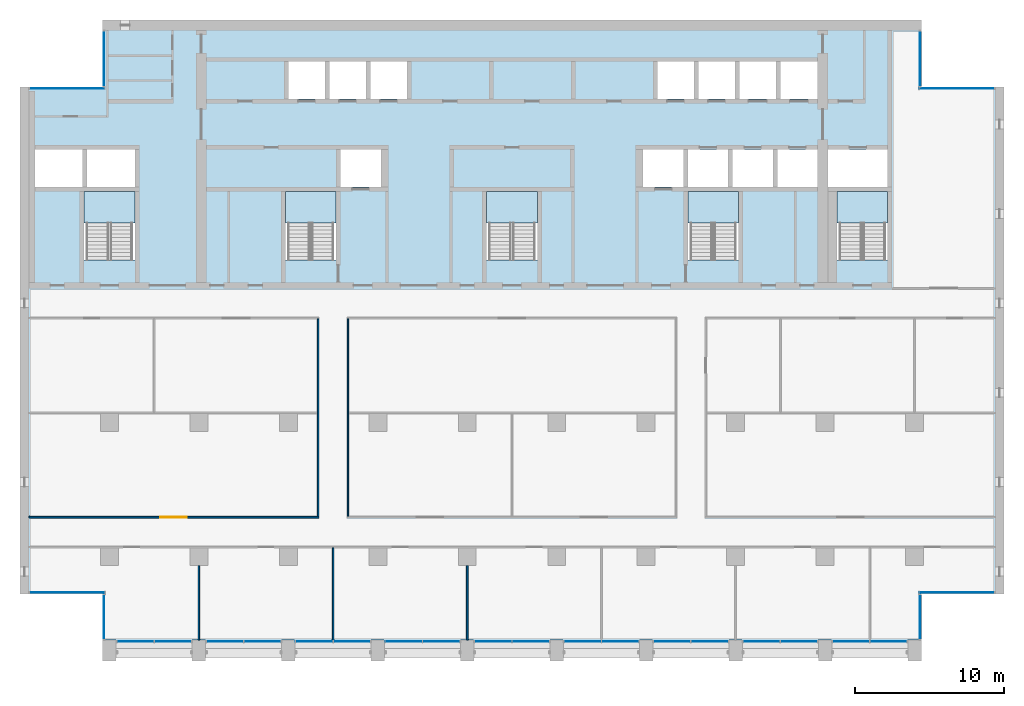
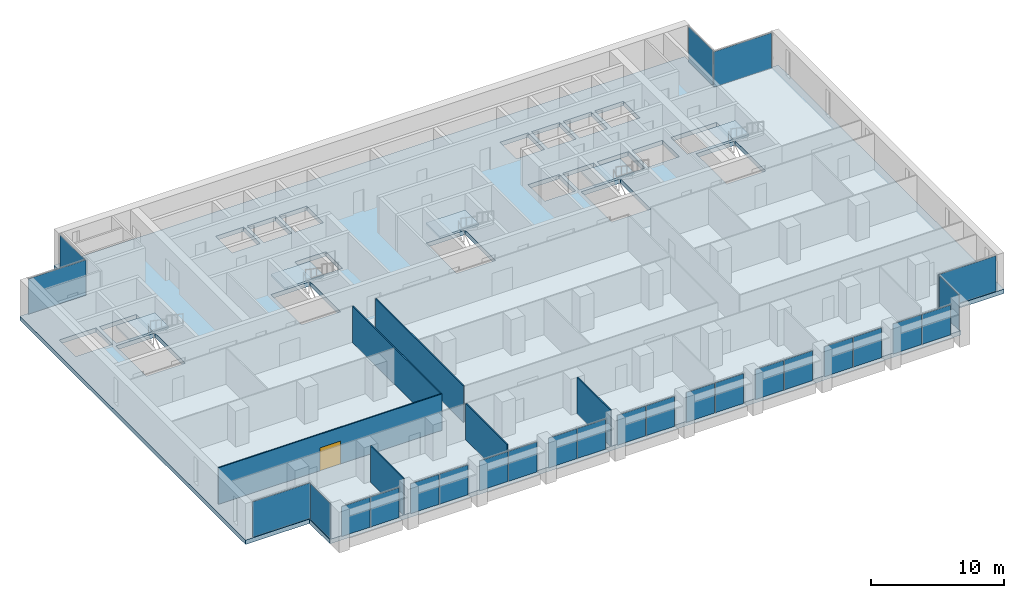
# One storey, part 7 of 17: 26 plates, 6 slabs, 6 walls, 1 door, 1 opening, 22 elements without a shape of their own.
"""IFC4 building model written with IfcOpenShell, lengths in metres."""

from ifc_helpers import new_model, si_unit, direction, frame, frame_2d, origin, origin_2d, place, context, subcontext, project, spatial, polyline, rectangle, outline, extrude, material, layer, layer_set, type_object, element, fill, aggregate, save


model = new_model("IFC4")

# Units and contexts
model_context = context("Model", 3, precision=1e-05, world=origin(), true_north=direction((0.0, 1.0)))
body_context = subcontext(model_context, "Body", "Model", "MODEL_VIEW")
ifc_project = project(units=[si_unit("LENGTHUNIT", "METRE"), si_unit("AREAUNIT", "SQUARE_METRE"), si_unit("VOLUMEUNIT", "CUBIC_METRE"), si_unit("PLANEANGLEUNIT", "RADIAN"), si_unit("MASSUNIT", "GRAM", prefix="KILO")], contexts=[model_context])

# Site, building, storey
site_placement = place(None, origin())
site = spatial("IfcSite", under=ifc_project, at=site_placement, CompositionType="ELEMENT")
building_placement = place(site_placement, origin())
building = spatial("IfcBuilding", under=site, at=building_placement, Name="Calvaro Tower", CompositionType="ELEMENT")
storey_placement = place(building_placement, frame((0.0, 0.0, 174.25)))
storey = spatial("IfcBuildingStorey", under=building, at=storey_placement, Name="L43", CompositionType="ELEMENT", Elevation=174.25)

# Slab
ifc_material_1 = material(Name="Concrete C40/50", Category="concrete")
ifc_layer_1 = layer(ifc_material_1, 0.39990234375)
ifc_layer_set_1 = layer_set([ifc_layer_1], Name="Concrete C40/50")
slab_type_1 = type_object("IfcSlabType", Name="Floor slab 400 C40/50", PredefinedType="FLOOR", material=ifc_layer_set_1)
slab_1_placement = place(storey_placement, frame((0.0, 0.0, -0.39990234375)))
element("IfcSlab", 1, at=slab_1_placement, inside=storey, type_object=slab_type_1, Name="Floor slab", PredefinedType="FLOOR", context=body_context, shape_type="SweptSolid", body=[
    extrude(outline(polyline([(66.449951171875, 7.5), (66.449951171875, 4.39990234375), (11.550048828125, 4.39990234375), (11.550048828125, 7.5), (6.0, 7.5), (6.0, 41.5), (11.550048828125, 41.5), (11.550048828125, 46.0), (66.449951171875, 46.0), (66.449951171875, 41.5), (72.0, 41.5), (72.0, 7.5), (66.449951171875, 7.5)]), holes=[polyline([(10.300048828125, 29.909912109375), (10.300048828125, 34.5), (12.0, 34.5), (13.699951171875, 34.5), (13.699951171875, 29.909912109375), (12.0, 29.909912109375), (10.300048828125, 29.909912109375)]), polyline([(23.800048828125, 29.909912109375), (23.800048828125, 34.5), (25.5, 34.5), (27.199951171875, 34.5), (27.199951171875, 29.909912109375), (25.5, 29.909912109375), (23.800048828125, 29.909912109375)]), polyline([(37.300048828125, 29.909912109375), (37.300048828125, 34.5), (39.0, 34.5), (40.699951171875, 34.5), (40.699951171875, 29.909912109375), (39.0, 29.909912109375), (37.300048828125, 29.909912109375)]), polyline([(50.800048828125, 29.909912109375), (50.800048828125, 34.5), (52.5, 34.5), (54.199951171875, 34.5), (54.199951171875, 29.909912109375), (52.5, 29.909912109375), (50.800048828125, 29.909912109375)]), polyline([(60.800048828125, 29.909912109375), (60.800048828125, 34.5), (62.5, 34.5), (64.199951171875, 34.5), (64.199951171875, 29.909912109375), (62.5, 29.909912109375), (60.800048828125, 29.909912109375)]), polyline([(50.800048828125, 34.800048828125), (53.5, 34.800048828125), (53.5, 37.300048828125), (50.800048828125, 37.300048828125), (50.800048828125, 34.800048828125)]), polyline([(53.800048828125, 34.800048828125), (56.5, 34.800048828125), (56.5, 37.300048828125), (53.800048828125, 37.300048828125), (53.800048828125, 34.800048828125)]), polyline([(56.800048828125, 34.800048828125), (59.5, 34.800048828125), (59.5, 37.300048828125), (56.800048828125, 37.300048828125), (56.800048828125, 34.800048828125)]), polyline([(24.0, 40.699951171875), (26.449951171875, 40.699951171875), (26.449951171875, 43.199951171875), (24.0, 43.199951171875), (24.0, 40.699951171875)]), polyline([(26.75, 40.699951171875), (29.199951171875, 40.699951171875), (29.199951171875, 43.199951171875), (26.75, 43.199951171875), (26.75, 40.699951171875)]), polyline([(29.5, 40.699951171875), (31.949951171875, 40.699951171875), (31.949951171875, 43.199951171875), (29.5, 43.199951171875), (29.5, 40.699951171875)]), polyline([(48.75, 40.699951171875), (51.199951171875, 40.699951171875), (51.199951171875, 43.199951171875), (48.75, 43.199951171875), (48.75, 40.699951171875)]), polyline([(51.5, 40.699951171875), (53.949951171875, 40.699951171875), (53.949951171875, 43.199951171875), (51.5, 43.199951171875), (51.5, 40.699951171875)]), polyline([(54.25, 40.699951171875), (56.699951171875, 40.699951171875), (56.699951171875, 43.199951171875), (54.25, 43.199951171875), (54.25, 40.699951171875)]), polyline([(57.0, 40.699951171875), (59.5, 40.699951171875), (59.5, 43.199951171875), (57.0, 43.199951171875), (57.0, 40.699951171875)]), polyline([(7.0, 34.800048828125), (10.199951171875, 34.800048828125), (10.199951171875, 37.300048828125), (7.0, 37.300048828125), (7.0, 34.800048828125)]), polyline([(10.5, 34.800048828125), (13.699951171875, 34.800048828125), (13.699951171875, 37.300048828125), (10.5, 37.300048828125), (10.5, 34.800048828125)]), polyline([(60.199951171875, 34.800048828125), (64.199951171875, 34.800048828125), (64.199951171875, 37.300048828125), (60.199951171875, 37.300048828125), (60.199951171875, 34.800048828125)]), polyline([(27.5, 34.800048828125), (30.199951171875, 34.800048828125), (30.199951171875, 37.300048828125), (27.5, 37.300048828125), (27.5, 34.800048828125)]), polyline([(47.800048828125, 34.800048828125), (50.5, 34.800048828125), (50.5, 37.300048828125), (47.800048828125, 37.300048828125), (47.800048828125, 34.800048828125)])]), origin(), (0.0, 0.0, 1.0), 0.39990234375),
])

# Curtain wall, plates
ifc_material_2 = material(Name="Anodised aluminium", Category="aluminium")
curtain_wall_type = type_object("IfcCurtainWallType", Name="Office curtain wall, upper zone", PredefinedType="NOTDEFINED", material=ifc_material_2)
curtain_wall_1_placement = place(storey_placement, origin())
curtain_wall_1 = element("IfcCurtainWall", 2, at=curtain_wall_1_placement, inside=storey, type_object=curtain_wall_type, Name="CW3 south curtain wall", PredefinedType="NOTDEFINED")
ifc_material_3 = material(Name="Glass", Category="glass")
ifc_layer_2 = layer(ifc_material_3, 0.035888671875)
ifc_layer_set_2 = layer_set([ifc_layer_2], Name="Glass")
plate_type = type_object("IfcPlateType", Name="Glass panel S3 36", PredefinedType="CURTAIN_PANEL", material=ifc_layer_set_2)
plate_1_placement = place(storey_placement, frame((13.739990234375, 4.31005859375, 0.0), z_axis=(0.0, 0.0, 1.0), x_axis=(1.0, 0.0, 0.0)))
plate_1 = element("IfcPlate", 3, at=plate_1_placement, type_object=plate_type, Name="CW3 glass panel 1.1", PredefinedType="CURTAIN_PANEL", context=body_context, shape_type="SweptSolid", body=[
    extrude(rectangle(XDim=2.4599609375, YDim=0.035888671875, at=origin_2d()), origin(), (0.0, 0.0, 1.0), 2.75),
])
plate_2_placement = place(storey_placement, frame((16.260009765625, 4.31005859375, 0.0), z_axis=(0.0, 0.0, 1.0), x_axis=(1.0, 0.0, 0.0)))
plate_2 = element("IfcPlate", 4, at=plate_2_placement, type_object=plate_type, Name="CW3 glass panel 2.1", PredefinedType="CURTAIN_PANEL", context=body_context, shape_type="SweptSolid", body=[
    extrude(rectangle(XDim=2.4599609375, YDim=0.035888671875, at=origin_2d()), origin(), (0.0, 0.0, 1.0), 2.75),
])
aggregate(curtain_wall_1, [plate_1, plate_2])

curtain_wall_2_placement = place(storey_placement, origin())
curtain_wall_2 = element("IfcCurtainWall", 5, at=curtain_wall_2_placement, inside=storey, type_object=curtain_wall_type, Name="CW3 south curtain wall", PredefinedType="NOTDEFINED")
plate_3_placement = place(storey_placement, frame((19.739990234375, 4.31005859375, 0.0), z_axis=(0.0, 0.0, 1.0), x_axis=(1.0, 0.0, 0.0)))
plate_3 = element("IfcPlate", 6, at=plate_3_placement, type_object=plate_type, Name="CW3 glass panel 1.1", PredefinedType="CURTAIN_PANEL", context=body_context, shape_type="SweptSolid", body=[
    extrude(rectangle(XDim=2.4599609375, YDim=0.035888671875, at=origin_2d()), origin(), (0.0, 0.0, 1.0), 2.75),
])
plate_4_placement = place(storey_placement, frame((22.260009765625, 4.31005859375, 0.0), z_axis=(0.0, 0.0, 1.0), x_axis=(1.0, 0.0, 0.0)))
plate_4 = element("IfcPlate", 7, at=plate_4_placement, type_object=plate_type, Name="CW3 glass panel 2.1", PredefinedType="CURTAIN_PANEL", context=body_context, shape_type="SweptSolid", body=[
    extrude(rectangle(XDim=2.4599609375, YDim=0.035888671875, at=origin_2d()), origin(), (0.0, 0.0, 1.0), 2.75),
])
aggregate(curtain_wall_2, [plate_3, plate_4])

curtain_wall_3_placement = place(storey_placement, origin())
curtain_wall_3 = element("IfcCurtainWall", 8, at=curtain_wall_3_placement, inside=storey, type_object=curtain_wall_type, Name="CW3 south curtain wall", PredefinedType="NOTDEFINED")
plate_5_placement = place(storey_placement, frame((25.739990234375, 4.31005859375, 0.0), z_axis=(0.0, 0.0, 1.0), x_axis=(1.0, 0.0, 0.0)))
plate_5 = element("IfcPlate", 9, at=plate_5_placement, type_object=plate_type, Name="CW3 glass panel 1.1", PredefinedType="CURTAIN_PANEL", context=body_context, shape_type="SweptSolid", body=[
    extrude(rectangle(XDim=2.4599609375, YDim=0.035888671875, at=origin_2d()), origin(), (0.0, 0.0, 1.0), 2.75),
])
plate_6_placement = place(storey_placement, frame((28.260009765625, 4.31005859375, 0.0), z_axis=(0.0, 0.0, 1.0), x_axis=(1.0, 0.0, 0.0)))
plate_6 = element("IfcPlate", 10, at=plate_6_placement, type_object=plate_type, Name="CW3 glass panel 2.1", PredefinedType="CURTAIN_PANEL", context=body_context, shape_type="SweptSolid", body=[
    extrude(rectangle(XDim=2.4599609375, YDim=0.035888671875, at=origin_2d()), origin(), (0.0, 0.0, 1.0), 2.75),
])
aggregate(curtain_wall_3, [plate_5, plate_6])

curtain_wall_4_placement = place(storey_placement, origin())
curtain_wall_4 = element("IfcCurtainWall", 11, at=curtain_wall_4_placement, inside=storey, type_object=curtain_wall_type, Name="CW3 south curtain wall", PredefinedType="NOTDEFINED")
plate_7_placement = place(storey_placement, frame((31.739990234375, 4.31005859375, 0.0), z_axis=(0.0, 0.0, 1.0), x_axis=(1.0, 0.0, 0.0)))
plate_7 = element("IfcPlate", 12, at=plate_7_placement, type_object=plate_type, Name="CW3 glass panel 1.1", PredefinedType="CURTAIN_PANEL", context=body_context, shape_type="SweptSolid", body=[
    extrude(rectangle(XDim=2.4599609375, YDim=0.035888671875, at=origin_2d()), origin(), (0.0, 0.0, 1.0), 2.75),
])
plate_8_placement = place(storey_placement, frame((34.260009765625, 4.31005859375, 0.0), z_axis=(0.0, 0.0, 1.0), x_axis=(1.0, 0.0, 0.0)))
plate_8 = element("IfcPlate", 13, at=plate_8_placement, type_object=plate_type, Name="CW3 glass panel 2.1", PredefinedType="CURTAIN_PANEL", context=body_context, shape_type="SweptSolid", body=[
    extrude(rectangle(XDim=2.4599609375, YDim=0.035888671875, at=origin_2d()), origin(), (0.0, 0.0, 1.0), 2.75),
])
aggregate(curtain_wall_4, [plate_7, plate_8])

curtain_wall_5_placement = place(storey_placement, origin())
curtain_wall_5 = element("IfcCurtainWall", 14, at=curtain_wall_5_placement, inside=storey, type_object=curtain_wall_type, Name="CW3 south curtain wall", PredefinedType="NOTDEFINED")
plate_9_placement = place(storey_placement, frame((37.739990234375, 4.31005859375, 0.0), z_axis=(0.0, 0.0, 1.0), x_axis=(1.0, 0.0, 0.0)))
plate_9 = element("IfcPlate", 15, at=plate_9_placement, type_object=plate_type, Name="CW3 glass panel 1.1", PredefinedType="CURTAIN_PANEL", context=body_context, shape_type="SweptSolid", body=[
    extrude(rectangle(XDim=2.4599609375, YDim=0.035888671875, at=origin_2d()), origin(), (0.0, 0.0, 1.0), 2.75),
])
plate_10_placement = place(storey_placement, frame((40.260009765625, 4.31005859375, 0.0), z_axis=(0.0, 0.0, 1.0), x_axis=(1.0, 0.0, 0.0)))
plate_10 = element("IfcPlate", 16, at=plate_10_placement, type_object=plate_type, Name="CW3 glass panel 2.1", PredefinedType="CURTAIN_PANEL", context=body_context, shape_type="SweptSolid", body=[
    extrude(rectangle(XDim=2.4599609375, YDim=0.035888671875, at=origin_2d()), origin(), (0.0, 0.0, 1.0), 2.75),
])
aggregate(curtain_wall_5, [plate_9, plate_10])

curtain_wall_6_placement = place(storey_placement, origin())
curtain_wall_6 = element("IfcCurtainWall", 17, at=curtain_wall_6_placement, inside=storey, type_object=curtain_wall_type, Name="CW3 south curtain wall", PredefinedType="NOTDEFINED")
plate_11_placement = place(storey_placement, frame((43.739990234375, 4.31005859375, 0.0), z_axis=(0.0, 0.0, 1.0), x_axis=(1.0, 0.0, 0.0)))
plate_11 = element("IfcPlate", 18, at=plate_11_placement, type_object=plate_type, Name="CW3 glass panel 1.1", PredefinedType="CURTAIN_PANEL", context=body_context, shape_type="SweptSolid", body=[
    extrude(rectangle(XDim=2.4599609375, YDim=0.035888671875, at=origin_2d()), origin(), (0.0, 0.0, 1.0), 2.75),
])
plate_12_placement = place(storey_placement, frame((46.260009765625, 4.31005859375, 0.0), z_axis=(0.0, 0.0, 1.0), x_axis=(1.0, 0.0, 0.0)))
plate_12 = element("IfcPlate", 19, at=plate_12_placement, type_object=plate_type, Name="CW3 glass panel 2.1", PredefinedType="CURTAIN_PANEL", context=body_context, shape_type="SweptSolid", body=[
    extrude(rectangle(XDim=2.4599609375, YDim=0.035888671875, at=origin_2d()), origin(), (0.0, 0.0, 1.0), 2.75),
])
aggregate(curtain_wall_6, [plate_11, plate_12])

curtain_wall_7_placement = place(storey_placement, origin())
curtain_wall_7 = element("IfcCurtainWall", 20, at=curtain_wall_7_placement, inside=storey, type_object=curtain_wall_type, Name="CW3 south curtain wall", PredefinedType="NOTDEFINED")
plate_13_placement = place(storey_placement, frame((49.739990234375, 4.31005859375, 0.0), z_axis=(0.0, 0.0, 1.0), x_axis=(1.0, 0.0, 0.0)))
plate_13 = element("IfcPlate", 21, at=plate_13_placement, type_object=plate_type, Name="CW3 glass panel 1.1", PredefinedType="CURTAIN_PANEL", context=body_context, shape_type="SweptSolid", body=[
    extrude(rectangle(XDim=2.4599609375, YDim=0.035888671875, at=origin_2d()), origin(), (0.0, 0.0, 1.0), 2.75),
])
plate_14_placement = place(storey_placement, frame((52.260009765625, 4.31005859375, 0.0), z_axis=(0.0, 0.0, 1.0), x_axis=(1.0, 0.0, 0.0)))
plate_14 = element("IfcPlate", 22, at=plate_14_placement, type_object=plate_type, Name="CW3 glass panel 2.1", PredefinedType="CURTAIN_PANEL", context=body_context, shape_type="SweptSolid", body=[
    extrude(rectangle(XDim=2.4599609375, YDim=0.035888671875, at=origin_2d()), origin(), (0.0, 0.0, 1.0), 2.75),
])
aggregate(curtain_wall_7, [plate_13, plate_14])

curtain_wall_8_placement = place(storey_placement, origin())
curtain_wall_8 = element("IfcCurtainWall", 23, at=curtain_wall_8_placement, inside=storey, type_object=curtain_wall_type, Name="CW3 south curtain wall", PredefinedType="NOTDEFINED")
plate_15_placement = place(storey_placement, frame((55.739990234375, 4.31005859375, 0.0), z_axis=(0.0, 0.0, 1.0), x_axis=(1.0, 0.0, 0.0)))
plate_15 = element("IfcPlate", 24, at=plate_15_placement, type_object=plate_type, Name="CW3 glass panel 1.1", PredefinedType="CURTAIN_PANEL", context=body_context, shape_type="SweptSolid", body=[
    extrude(rectangle(XDim=2.4599609375, YDim=0.035888671875, at=origin_2d()), origin(), (0.0, 0.0, 1.0), 2.75),
])
plate_16_placement = place(storey_placement, frame((58.260009765625, 4.31005859375, 0.0), z_axis=(0.0, 0.0, 1.0), x_axis=(1.0, 0.0, 0.0)))
plate_16 = element("IfcPlate", 25, at=plate_16_placement, type_object=plate_type, Name="CW3 glass panel 2.1", PredefinedType="CURTAIN_PANEL", context=body_context, shape_type="SweptSolid", body=[
    extrude(rectangle(XDim=2.4599609375, YDim=0.035888671875, at=origin_2d()), origin(), (0.0, 0.0, 1.0), 2.75),
])
aggregate(curtain_wall_8, [plate_15, plate_16])

curtain_wall_9_placement = place(storey_placement, origin())
curtain_wall_9 = element("IfcCurtainWall", 26, at=curtain_wall_9_placement, inside=storey, type_object=curtain_wall_type, Name="CW3 south curtain wall", PredefinedType="NOTDEFINED")
plate_17_placement = place(storey_placement, frame((61.739990234375, 4.31005859375, 0.0), z_axis=(0.0, 0.0, 1.0), x_axis=(1.0, 0.0, 0.0)))
plate_17 = element("IfcPlate", 27, at=plate_17_placement, type_object=plate_type, Name="CW3 glass panel 1.1", PredefinedType="CURTAIN_PANEL", context=body_context, shape_type="SweptSolid", body=[
    extrude(rectangle(XDim=2.4599609375, YDim=0.035888671875, at=origin_2d()), origin(), (0.0, 0.0, 1.0), 2.75),
])
plate_18_placement = place(storey_placement, frame((64.260009765625, 4.31005859375, 0.0), z_axis=(0.0, 0.0, 1.0), x_axis=(1.0, 0.0, 0.0)))
plate_18 = element("IfcPlate", 28, at=plate_18_placement, type_object=plate_type, Name="CW3 glass panel 2.1", PredefinedType="CURTAIN_PANEL", context=body_context, shape_type="SweptSolid", body=[
    extrude(rectangle(XDim=2.4599609375, YDim=0.035888671875, at=origin_2d()), origin(), (0.0, 0.0, 1.0), 2.75),
])
aggregate(curtain_wall_9, [plate_17, plate_18])

# Curtain wall, plate
curtain_wall_10_placement = place(storey_placement, origin())
curtain_wall_10 = element("IfcCurtainWall", 29, at=curtain_wall_10_placement, inside=storey, type_object=curtain_wall_type, Name="CW3 corner curtain wall", PredefinedType="NOTDEFINED")
plate_19_placement = place(storey_placement, frame((11.639892578125, 5.949951171875, 0.0), z_axis=(0.0, 0.0, 1.0), x_axis=(0.0, 1.0, 0.0)))
plate_19 = element("IfcPlate", 30, at=plate_19_placement, type_object=plate_type, Name="CW3 glass panel 1.1", PredefinedType="CURTAIN_PANEL", context=body_context, shape_type="SweptSolid", body=[
    extrude(rectangle(XDim=2.97998046875, YDim=0.035888671875, at=origin_2d()), origin(), (0.0, 0.0, 1.0), 3.25),
])
aggregate(curtain_wall_10, [plate_19])

curtain_wall_11_placement = place(storey_placement, origin())
curtain_wall_11 = element("IfcCurtainWall", 31, at=curtain_wall_11_placement, inside=storey, type_object=curtain_wall_type, Name="CW3 corner curtain wall", PredefinedType="NOTDEFINED")
plate_20_placement = place(storey_placement, frame((9.1650390625, 7.590087890625, 0.0), z_axis=(0.0, 0.0, 1.0), x_axis=(1.0, 0.0, 0.0)))
plate_20 = element("IfcPlate", 32, at=plate_20_placement, type_object=plate_type, Name="CW3 glass panel 1.1", PredefinedType="CURTAIN_PANEL", context=body_context, shape_type="SweptSolid", body=[
    extrude(rectangle(XDim=5.010009765625, YDim=0.035888671875, at=origin_2d()), origin(), (0.0, 0.0, 1.0), 3.25),
])
aggregate(curtain_wall_11, [plate_20])

curtain_wall_12_placement = place(storey_placement, origin())
curtain_wall_12 = element("IfcCurtainWall", 33, at=curtain_wall_12_placement, inside=storey, type_object=curtain_wall_type, Name="CW3 corner curtain wall", PredefinedType="NOTDEFINED")
plate_21_placement = place(storey_placement, frame((11.639892578125, 43.39990234375, 0.0), z_axis=(0.0, 0.0, 1.0), x_axis=(0.0, 1.0, 0.0)))
plate_21 = element("IfcPlate", 34, at=plate_21_placement, type_object=plate_type, Name="CW3 glass panel 1.1", PredefinedType="CURTAIN_PANEL", context=body_context, shape_type="SweptSolid", body=[
    extrude(rectangle(XDim=3.679931640625, YDim=0.035888671875, at=origin_2d()), origin(), (0.0, 0.0, 1.0), 3.25),
])
aggregate(curtain_wall_12, [plate_21])

curtain_wall_13_placement = place(storey_placement, origin())
curtain_wall_13 = element("IfcCurtainWall", 35, at=curtain_wall_13_placement, inside=storey, type_object=curtain_wall_type, Name="CW3 corner curtain wall", PredefinedType="NOTDEFINED")
plate_22_placement = place(storey_placement, frame((9.1650390625, 41.409912109375, 0.0), z_axis=(0.0, 0.0, 1.0), x_axis=(1.0, 0.0, 0.0)))
plate_22 = element("IfcPlate", 36, at=plate_22_placement, type_object=plate_type, Name="CW3 glass panel 1.1", PredefinedType="CURTAIN_PANEL", context=body_context, shape_type="SweptSolid", body=[
    extrude(rectangle(XDim=5.010009765625, YDim=0.035888671875, at=origin_2d()), origin(), (0.0, 0.0, 1.0), 3.25),
])
aggregate(curtain_wall_13, [plate_22])

curtain_wall_14_placement = place(storey_placement, origin())
curtain_wall_14 = element("IfcCurtainWall", 37, at=curtain_wall_14_placement, inside=storey, type_object=curtain_wall_type, Name="CW3 corner curtain wall", PredefinedType="NOTDEFINED")
plate_23_placement = place(storey_placement, frame((66.360107421875, 5.949951171875, 0.0), z_axis=(0.0, 0.0, 1.0), x_axis=(0.0, 1.0, 0.0)))
plate_23 = element("IfcPlate", 38, at=plate_23_placement, type_object=plate_type, Name="CW3 glass panel 1.1", PredefinedType="CURTAIN_PANEL", context=body_context, shape_type="SweptSolid", body=[
    extrude(rectangle(XDim=2.97998046875, YDim=0.035888671875, at=origin_2d()), origin(), (0.0, 0.0, 1.0), 3.25),
])
aggregate(curtain_wall_14, [plate_23])

curtain_wall_15_placement = place(storey_placement, origin())
curtain_wall_15 = element("IfcCurtainWall", 39, at=curtain_wall_15_placement, inside=storey, type_object=curtain_wall_type, Name="CW3 corner curtain wall", PredefinedType="NOTDEFINED")
plate_24_placement = place(storey_placement, frame((68.8349609375, 7.590087890625, 0.0), z_axis=(0.0, 0.0, 1.0), x_axis=(1.0, 0.0, 0.0)))
plate_24 = element("IfcPlate", 40, at=plate_24_placement, type_object=plate_type, Name="CW3 glass panel 1.1", PredefinedType="CURTAIN_PANEL", context=body_context, shape_type="SweptSolid", body=[
    extrude(rectangle(XDim=5.010009765625, YDim=0.035888671875, at=origin_2d()), origin(), (0.0, 0.0, 1.0), 3.25),
])
aggregate(curtain_wall_15, [plate_24])

curtain_wall_16_placement = place(storey_placement, origin())
curtain_wall_16 = element("IfcCurtainWall", 41, at=curtain_wall_16_placement, inside=storey, type_object=curtain_wall_type, Name="CW3 corner curtain wall", PredefinedType="NOTDEFINED")
plate_25_placement = place(storey_placement, frame((66.360107421875, 43.39990234375, 0.0), z_axis=(0.0, 0.0, 1.0), x_axis=(0.0, 1.0, 0.0)))
plate_25 = element("IfcPlate", 42, at=plate_25_placement, type_object=plate_type, Name="CW3 glass panel 1.1", PredefinedType="CURTAIN_PANEL", context=body_context, shape_type="SweptSolid", body=[
    extrude(rectangle(XDim=3.679931640625, YDim=0.035888671875, at=origin_2d()), origin(), (0.0, 0.0, 1.0), 3.25),
])
aggregate(curtain_wall_16, [plate_25])

curtain_wall_17_placement = place(storey_placement, origin())
curtain_wall_17 = element("IfcCurtainWall", 43, at=curtain_wall_17_placement, inside=storey, type_object=curtain_wall_type, Name="CW3 corner curtain wall", PredefinedType="NOTDEFINED")
plate_26_placement = place(storey_placement, frame((68.8349609375, 41.409912109375, 0.0), z_axis=(0.0, 0.0, 1.0), x_axis=(1.0, 0.0, 0.0)))
plate_26 = element("IfcPlate", 44, at=plate_26_placement, type_object=plate_type, Name="CW3 glass panel 1.1", PredefinedType="CURTAIN_PANEL", context=body_context, shape_type="SweptSolid", body=[
    extrude(rectangle(XDim=5.010009765625, YDim=0.035888671875, at=origin_2d()), origin(), (0.0, 0.0, 1.0), 3.25),
])
aggregate(curtain_wall_17, [plate_26])

# Stair, slab
ifc_material_4 = material(Name="Concrete C40/50", Category="concrete")
stair_type = type_object("IfcStairType", Name="Exit stair 1400 2 flights", PredefinedType="HALF_TURN_STAIR", material=ifc_material_4)
stair_1_placement = place(storey_placement, origin())
stair_1 = element("IfcStair", 45, at=stair_1_placement, inside=storey, type_object=stair_type, Name="Exit stair S1", PredefinedType="HALF_TURN_STAIR")
ifc_material_5 = material(Name="Concrete C40/50", Category="concrete")
ifc_layer_3 = layer(ifc_material_5, 0.199951171875)
ifc_layer_set_3 = layer_set([ifc_layer_3], Name="Concrete C40/50")
slab_type_2 = type_object("IfcSlabType", Name="Stair landing", PredefinedType="LANDING", material=ifc_layer_set_3)
slab_2_placement = place(storey_placement, frame((0.0, 0.0, 1.675048828125)))
slab_2 = element("IfcSlab", 46, at=slab_2_placement, type_object=slab_type_2, Name="Exit stair 1, landing 1", PredefinedType="LANDING", context=body_context, shape_type="SweptSolid", body=[
    extrude(outline(polyline([(11.89990234375, 32.389892578125), (10.5, 32.389892578125), (10.5, 32.39990234375), (10.300048828125, 32.39990234375), (10.300048828125, 34.5), (10.5, 34.5), (11.89990234375, 34.5), (12.10009765625, 34.5), (13.5, 34.5), (13.699951171875, 34.5), (13.699951171875, 32.39990234375), (13.5, 32.39990234375), (13.5, 32.389892578125), (12.10009765625, 32.389892578125), (12.10009765625, 32.39990234375), (11.89990234375, 32.39990234375), (11.89990234375, 32.389892578125)])), origin(), (0.0, 0.0, 1.0), 0.199951171875),
])
aggregate(stair_1, [slab_2])

stair_2_placement = place(storey_placement, origin())
stair_2 = element("IfcStair", 47, at=stair_2_placement, inside=storey, type_object=stair_type, Name="Exit stair S2", PredefinedType="HALF_TURN_STAIR")
slab_3_placement = place(storey_placement, frame((0.0, 0.0, 1.675048828125)))
slab_3 = element("IfcSlab", 48, at=slab_3_placement, type_object=slab_type_2, Name="Exit stair 2, landing 1", PredefinedType="LANDING", context=body_context, shape_type="SweptSolid", body=[
    extrude(outline(polyline([(25.39990234375, 32.389892578125), (24.0, 32.389892578125), (24.0, 32.39990234375), (23.800048828125, 32.39990234375), (23.800048828125, 34.5), (24.0, 34.5), (25.39990234375, 34.5), (25.60009765625, 34.5), (27.0, 34.5), (27.199951171875, 34.5), (27.199951171875, 32.39990234375), (27.0, 32.39990234375), (27.0, 32.389892578125), (25.60009765625, 32.389892578125), (25.60009765625, 32.39990234375), (25.39990234375, 32.39990234375), (25.39990234375, 32.389892578125)])), origin(), (0.0, 0.0, 1.0), 0.199951171875),
])
aggregate(stair_2, [slab_3])

stair_3_placement = place(storey_placement, origin())
stair_3 = element("IfcStair", 49, at=stair_3_placement, inside=storey, type_object=stair_type, Name="Exit stair S3", PredefinedType="HALF_TURN_STAIR")
slab_4_placement = place(storey_placement, frame((0.0, 0.0, 1.675048828125)))
slab_4 = element("IfcSlab", 50, at=slab_4_placement, type_object=slab_type_2, Name="Exit stair 3, landing 1", PredefinedType="LANDING", context=body_context, shape_type="SweptSolid", body=[
    extrude(outline(polyline([(38.89990234375, 32.389892578125), (37.5, 32.389892578125), (37.5, 32.39990234375), (37.300048828125, 32.39990234375), (37.300048828125, 34.5), (37.5, 34.5), (38.89990234375, 34.5), (39.10009765625, 34.5), (40.5, 34.5), (40.699951171875, 34.5), (40.699951171875, 32.39990234375), (40.5, 32.39990234375), (40.5, 32.389892578125), (39.10009765625, 32.389892578125), (39.10009765625, 32.39990234375), (38.89990234375, 32.39990234375), (38.89990234375, 32.389892578125)])), origin(), (0.0, 0.0, 1.0), 0.199951171875),
])
aggregate(stair_3, [slab_4])

stair_4_placement = place(storey_placement, origin())
stair_4 = element("IfcStair", 51, at=stair_4_placement, inside=storey, type_object=stair_type, Name="Exit stair S4", PredefinedType="HALF_TURN_STAIR")
slab_5_placement = place(storey_placement, frame((0.0, 0.0, 1.675048828125)))
slab_5 = element("IfcSlab", 52, at=slab_5_placement, type_object=slab_type_2, Name="Exit stair 4, landing 1", PredefinedType="LANDING", context=body_context, shape_type="SweptSolid", body=[
    extrude(outline(polyline([(52.39990234375, 32.389892578125), (51.0, 32.389892578125), (51.0, 32.39990234375), (50.800048828125, 32.39990234375), (50.800048828125, 34.5), (51.0, 34.5), (52.39990234375, 34.5), (52.60009765625, 34.5), (54.0, 34.5), (54.199951171875, 34.5), (54.199951171875, 32.39990234375), (54.0, 32.39990234375), (54.0, 32.389892578125), (52.60009765625, 32.389892578125), (52.60009765625, 32.39990234375), (52.39990234375, 32.39990234375), (52.39990234375, 32.389892578125)])), origin(), (0.0, 0.0, 1.0), 0.199951171875),
])
aggregate(stair_4, [slab_5])

stair_5_placement = place(storey_placement, origin())
stair_5 = element("IfcStair", 53, at=stair_5_placement, inside=storey, type_object=stair_type, Name="Exit stair S5", PredefinedType="HALF_TURN_STAIR")
slab_6_placement = place(storey_placement, frame((0.0, 0.0, 1.675048828125)))
slab_6 = element("IfcSlab", 54, at=slab_6_placement, type_object=slab_type_2, Name="Exit stair 5, landing 1", PredefinedType="LANDING", context=body_context, shape_type="SweptSolid", body=[
    extrude(outline(polyline([(62.39990234375, 32.389892578125), (61.0, 32.389892578125), (61.0, 32.39990234375), (60.800048828125, 32.39990234375), (60.800048828125, 34.5), (61.0, 34.5), (62.39990234375, 34.5), (62.60009765625, 34.5), (64.0, 34.5), (64.199951171875, 34.5), (64.199951171875, 32.39990234375), (64.0, 32.39990234375), (64.0, 32.389892578125), (62.60009765625, 32.389892578125), (62.60009765625, 32.39990234375), (62.39990234375, 32.39990234375), (62.39990234375, 32.389892578125)])), origin(), (0.0, 0.0, 1.0), 0.199951171875),
])
aggregate(stair_5, [slab_6])

# Wall, opening, door
ifc_material_6 = material(Name="Plasterboard on steel studs", Category="steel")
ifc_layer_4 = layer(ifc_material_6, 0.10009765625)
ifc_layer_set_4 = layer_set([ifc_layer_4], Name="Plasterboard on steel studs")
wall_type = type_object("IfcWallType", Name="Partition 100", PredefinedType="PARTITIONING", material=ifc_layer_set_4)
wall_1_placement = place(storey_placement, frame((6.60009765625, 12.64990234375, 0.0), z_axis=(0.0, 0.0, 1.0), x_axis=(1.0, 0.0, 0.0)))
wall_1 = element("IfcWall", 55, at=wall_1_placement, inside=storey, type_object=wall_type, Name="Partition T25.W002", PredefinedType="PARTITIONING", context=body_context, shape_type="SweptSolid", body=[
    extrude(rectangle(XDim=19.449951171875, YDim=0.10009765625, at=frame_2d((9.72509765625, 0.0))), origin(), (0.0, 0.0, 1.0), 3.35009765625),
])
opening_placement = place(wall_1_placement, frame((8.800048828125, 0.0, 0.0)))
opening = element("IfcOpeningElement", 56, at=opening_placement, cuts=wall_1, Name="Opening T25.008", PredefinedType="OPENING", context=body_context, shape_type="SweptSolid", body=[
    extrude(rectangle(XDim=1.800048828125, YDim=2.10009765625, at=frame_2d((0.89990234375, 1.050048828125))), frame((0.0, 0.06005859375, 0.0), z_axis=(0.0, -1.0, 0.0), x_axis=(1.0, 0.0, 0.0)), (0.0, 0.0, 1.0), 0.1201171875),
])
ifc_material_7 = material(Name="Timber", Category="wood")
door_type = type_object("IfcDoorType", Name="Internal double door 1800 x 2100", OperationType="DOUBLE_DOOR_SINGLE_SWING", PredefinedType="DOOR", material=ifc_material_7)
door_placement = place(opening_placement, origin())
door = element("IfcDoor", 57, at=door_placement, inside=storey, type_object=door_type, Name="Door T25.008", OperationType="DOUBLE_DOOR_SINGLE_SWING", OverallHeight=2.10009765625, OverallWidth=1.800048828125, PredefinedType="DOOR", context=body_context, shape_type="SweptSolid", body=[
    extrude(rectangle(XDim=1.800048828125, YDim=2.10009765625, at=frame_2d((0.89990234375, 1.050048828125))), frame((0.0, 0.02490234375, 0.0), z_axis=(0.0, -1.0, 0.0), x_axis=(1.0, 0.0, 0.0)), (0.0, 0.0, 1.0), 0.050048828125),
])
fill(opening, door)

# Walls
wall_2_placement = place(storey_placement, frame((18.0, 4.39990234375, 0.0), z_axis=(0.0, 0.0, 1.0), x_axis=(0.0, 1.0, 0.0)))
element("IfcWall", 58, at=wall_2_placement, inside=storey, type_object=wall_type, Name="Partition T25.W013", PredefinedType="PARTITIONING", context=body_context, shape_type="SweptSolid", body=[
    extrude(rectangle(XDim=5.0, YDim=0.10009765625, at=frame_2d((2.5, 0.0))), origin(), (0.0, 0.0, 1.0), 3.35009765625),
])
wall_3_placement = place(storey_placement, frame((26.0, 12.699951171875, 0.0), z_axis=(0.0, 0.0, 1.0), x_axis=(0.0, 1.0, 0.0)))
element("IfcWall", 59, at=wall_3_placement, inside=storey, type_object=wall_type, Name="Partition T25.W014", PredefinedType="PARTITIONING", context=body_context, shape_type="SweptSolid", body=[
    extrude(rectangle(XDim=13.25, YDim=0.10009765625, at=frame_2d((6.625, 0.0))), origin(), (0.0, 0.0, 1.0), 3.35009765625),
])
wall_4_placement = place(storey_placement, frame((27.0, 4.39990234375, 0.0), z_axis=(0.0, 0.0, 1.0), x_axis=(0.0, 1.0, 0.0)))
element("IfcWall", 60, at=wall_4_placement, inside=storey, type_object=wall_type, Name="Partition T25.W015", PredefinedType="PARTITIONING", context=body_context, shape_type="SweptSolid", body=[
    extrude(rectangle(XDim=6.2001953125, YDim=0.10009765625, at=frame_2d((3.10009765625, 0.0))), origin(), (0.0, 0.0, 1.0), 3.35009765625),
])
wall_5_placement = place(storey_placement, frame((28.0, 12.699951171875, 0.0), z_axis=(0.0, 0.0, 1.0), x_axis=(0.0, 1.0, 0.0)))
element("IfcWall", 61, at=wall_5_placement, inside=storey, type_object=wall_type, Name="Partition T25.W016", PredefinedType="PARTITIONING", context=body_context, shape_type="SweptSolid", body=[
    extrude(rectangle(XDim=13.25, YDim=0.10009765625, at=frame_2d((6.625, 0.0))), origin(), (0.0, 0.0, 1.0), 3.35009765625),
])
wall_6_placement = place(storey_placement, frame((36.0, 4.39990234375, 0.0), z_axis=(0.0, 0.0, 1.0), x_axis=(0.0, 1.0, 0.0)))
element("IfcWall", 62, at=wall_6_placement, inside=storey, type_object=wall_type, Name="Partition T25.W017", PredefinedType="PARTITIONING", context=body_context, shape_type="SweptSolid", body=[
    extrude(rectangle(XDim=5.0, YDim=0.10009765625, at=frame_2d((2.5, 0.0))), origin(), (0.0, 0.0, 1.0), 3.35009765625),
])

save(model, "model.ifc")
